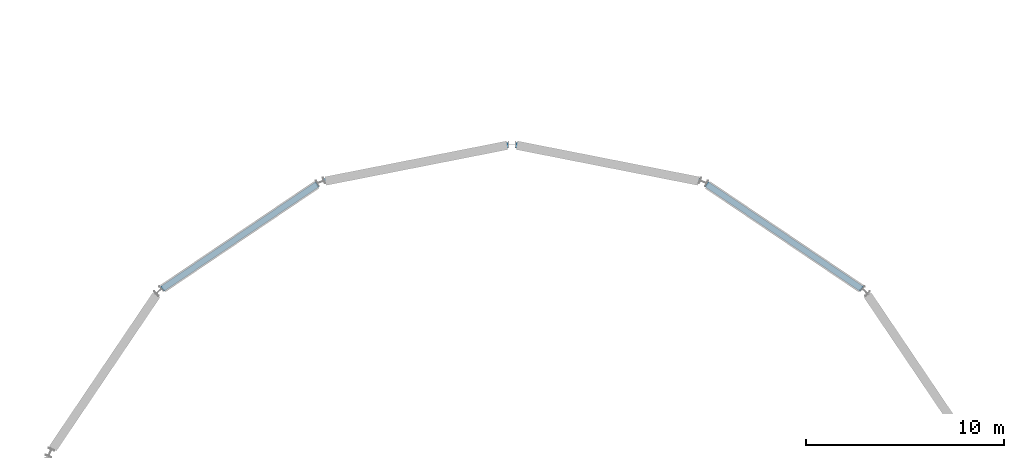
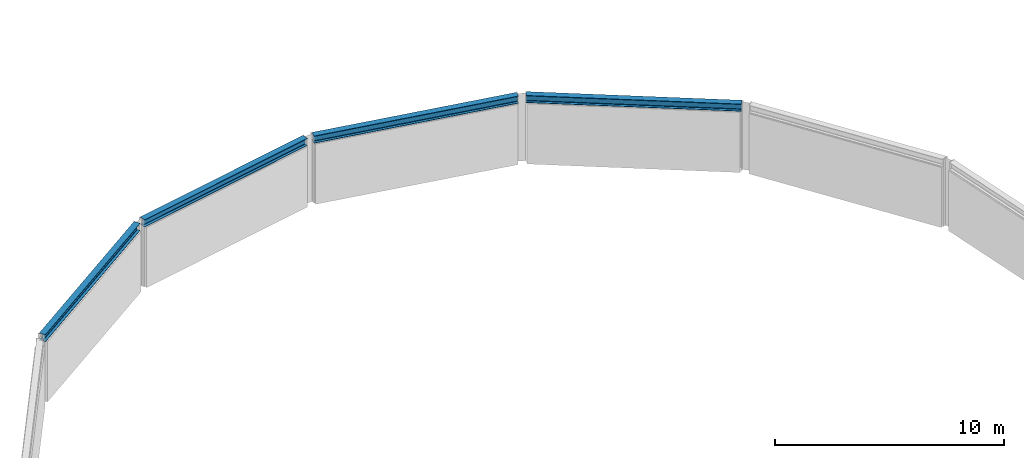
# One storey, part 32 of 120: 4 beams.
"""IFC4 building model written with IfcOpenShell, lengths in metres."""

from ifc_helpers import new_model, si_unit, direction, frame, origin, origin_2d, place, context, subcontext, project, spatial, i_section, extrude, material, material_profile, profile_set, type_object, element, save


model = new_model("IFC4")

# Units and contexts
model_context = context("Model", 3, precision=1e-05, world=origin(), true_north=direction((0.0, 1.0)))
body_context = subcontext(model_context, "Body", "Model", "MODEL_VIEW")
ifc_project = project(units=[si_unit("LENGTHUNIT", "METRE"), si_unit("AREAUNIT", "SQUARE_METRE"), si_unit("VOLUMEUNIT", "CUBIC_METRE"), si_unit("PLANEANGLEUNIT", "RADIAN"), si_unit("MASSUNIT", "GRAM", prefix="KILO")], contexts=[model_context])

# Site, building, storey
site_placement = place(None, origin())
site = spatial("IfcSite", under=ifc_project, at=site_placement, CompositionType="ELEMENT")
building_placement = place(site_placement, origin())
building = spatial("IfcBuilding", under=site, at=building_placement, Name="Kupolbacken Congress Centre", CompositionType="ELEMENT")
storey_placement = place(building_placement, frame((0.0, 0.0, 21.60009765625)))
storey = spatial("IfcBuildingStorey", under=building, at=storey_placement, Name="L06", CompositionType="ELEMENT", Elevation=21.60009765625)

# Beams
ifc_material = material(Name="Steel S355", Category="steel")
ifc_material_profile = material_profile(ifc_material, i_section(OverallWidth=0.300048828125, OverallDepth=0.389892578125, WebThickness=0.010986328125, FlangeThickness=0.01904296875, FilletRadius=0.027099609375, at=origin_2d()), Name="HEA 400")
ifc_profile_set = profile_set([ifc_material_profile], Name="Steel S355")
beam_type = type_object("IfcBeamType", Name="B14 beam HEA 400", PredefinedType="BEAM", material=ifc_profile_set)
beam_1_placement = place(storey_placement, frame((60.83935546875, 104.308349609375, 3.40478515625), z_axis=(-0.828907108652, 0.559386275507, 0.0), x_axis=(-0.559386275507, -0.828907108652, 0.0)))
element("IfcBeam", 1, at=beam_1_placement, inside=storey, type_object=beam_type, Name="DR/G252/10", PredefinedType="BEAM", context=body_context, shape_type="SweptSolid", body=[
    extrude(i_section(OverallWidth=0.300048828125, OverallDepth=0.389892578125, WebThickness=0.010986328125, FlangeThickness=0.01904296875, FilletRadius=0.027099609375, at=origin_2d()), origin(), (0.0, 0.0, 1.0), 9.444091796875),
])
for number, where, z_axis, x_axis, name in (
    (2, (52.65966796875, 109.737548828125, 3.40478515625), (-0.981165641699, 0.193168277805, 0.0), (-0.193168277805, -0.981165641699, 0.0), "DR/G252/11"),
    (3, (43.009765625, 111.5625, 3.40478515625), (-0.981165641699, -0.193168277805, 0.0), (0.193168277805, -0.981165641699, 0.0), "DR/G252/12"),
):
    element("IfcBeam", number, at=place(storey_placement, frame(where, z_axis=z_axis, x_axis=x_axis)), inside=storey, type_object=beam_type, Name=name, PredefinedType="BEAM", context=body_context, shape_type="SweptSolid", body=[
        extrude(i_section(OverallWidth=0.300048828125, OverallDepth=0.389892578125, WebThickness=0.010986328125, FlangeThickness=0.01904296875, FilletRadius=0.027099609375, at=origin_2d()), origin(), (0.0, 0.0, 1.0), 9.447509765625),
    ])
beam_2_placement = place(storey_placement, frame((33.38916015625, 109.59130859375, 3.40478515625), z_axis=(-0.828915197456, -0.559374289208, 0.0), x_axis=(0.559374289208, -0.828915197456, 0.0)))
element("IfcBeam", 4, at=beam_2_placement, inside=storey, type_object=beam_type, Name="DR/G252/13", PredefinedType="BEAM", context=body_context, shape_type="SweptSolid", body=[
    extrude(i_section(OverallWidth=0.300048828125, OverallDepth=0.389892578125, WebThickness=0.010986328125, FlangeThickness=0.01904296875, FilletRadius=0.027099609375, at=origin_2d()), origin(), (0.0, 0.0, 1.0), 9.4443359375),
])

save(model, "model.ifc")
